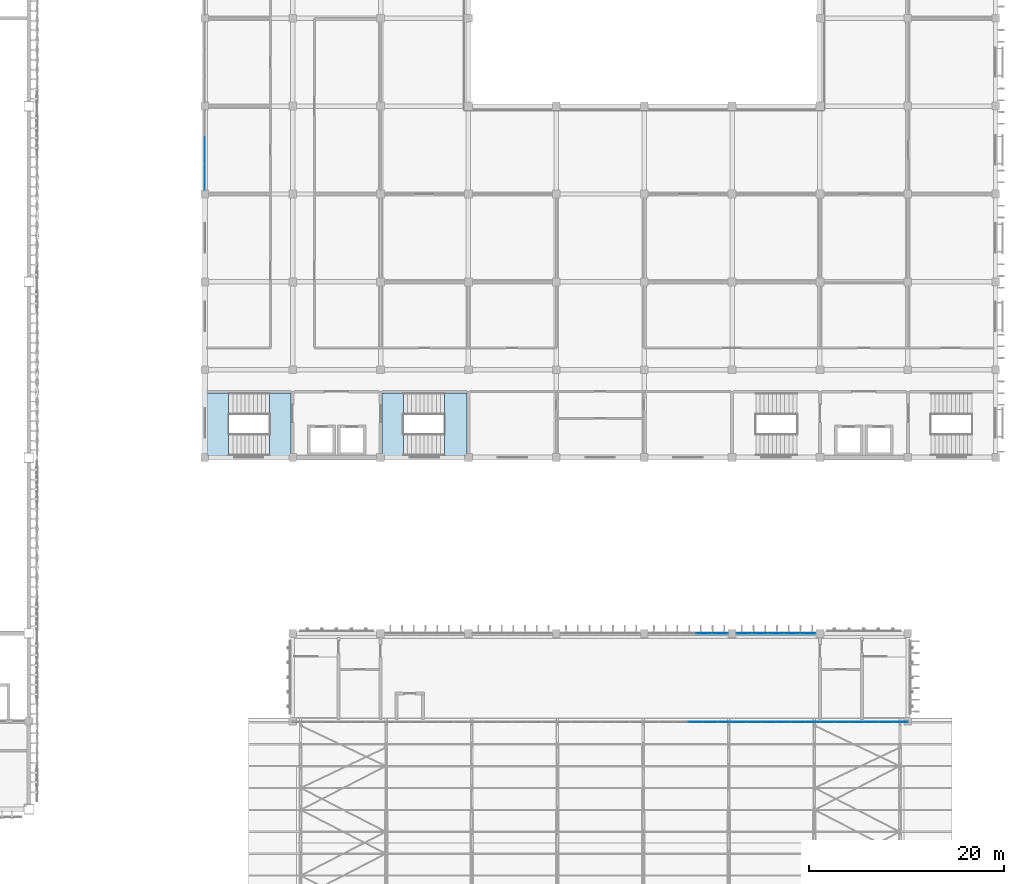
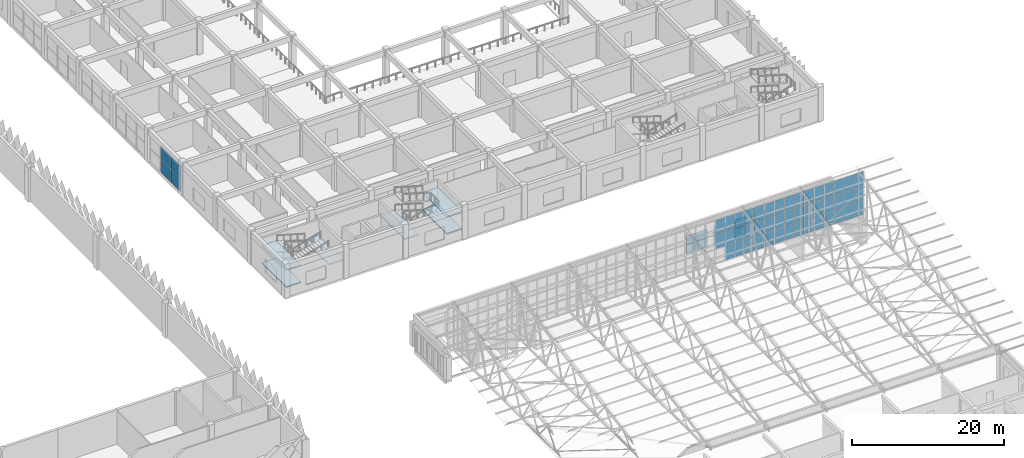
# One storey, part 96 of 185: 62 plates, 6 slabs, 6 elements without a shape of their own.
"""IFC4 building model written with IfcOpenShell, lengths in metres."""

import ifcopenshell
import ifcopenshell.guid

model = None  # the IFC model being written
_history = None  # IfcOwnerHistory: only IFC2X3 demands one
_inside = {}  # id of a spatial element -> (the spatial element, [elements in it])
_under = {}  # id of a project, library or spatial element -> (it, [spatial elements below it])
_declared = {}  # id of a project -> (the project, [libraries it declares])
_typed = {}  # id of a type object -> (the type object, [elements of that type])
_made_of = {}  # id of a material, layer set ... -> (it, [elements and type objects made of it])


def new_model(schema):
    """Start an empty IFC model of exactly this schema.

    Asked for "IFC4X3", IfcOpenShell would pick the latest addendum, in which some entities
    have other attributes; the version numbers below select the first issue.
    IFC2X3 requires an IfcOwnerHistory on every rooted entity: one is made here for all.
    """
    global model, _history
    if schema == "IFC4X3":
        model = ifcopenshell.file(schema_version=(4, 3, 0, 0))
    else:
        model = ifcopenshell.file(schema=schema)
    _inside.clear()
    _under.clear()
    _declared.clear()
    _typed.clear()
    _made_of.clear()
    _history = None
    if model.schema == "IFC2X3":
        org = make("IfcOrganization", Name="unknown")
        user = make(
            "IfcPersonAndOrganization",
            ThePerson=make("IfcPerson", FamilyName="unknown"),
            TheOrganization=org,
        )
        app = make(
            "IfcApplication",
            ApplicationDeveloper=org,
            Version="unknown",
            ApplicationFullName="unknown",
            ApplicationIdentifier="unknown",
        )
        _history = make(
            "IfcOwnerHistory",
            OwningUser=user,
            OwningApplication=app,
            ChangeAction="ADDED",
            CreationDate=0,
        )
    return model


def make(cls, **values):
    """One entity of the class cls with the attributes given. An attribute that is None is left unset."""
    return model.create_entity(
        cls, **{name: value for name, value in values.items() if value is not None}
    )


def rooted(cls, **values):
    """An entity with a GlobalId (a new one), such as an element, a storey or a relation."""
    return make(cls, GlobalId=ifcopenshell.guid.new(), OwnerHistory=_history, **values)


def si_unit(unit_type, name, prefix=None):
    """IfcSIUnit, for example si_unit("LENGTHUNIT", "METRE", prefix="MILLI")."""
    return make("IfcSIUnit", UnitType=unit_type, Prefix=prefix, Name=name)


def assignment(units):
    """IfcUnitAssignment: the units of a project."""
    return None if units is None else make("IfcUnitAssignment", Units=units)


def point(xyz):
    """IfcCartesianPoint."""
    return None if xyz is None else make("IfcCartesianPoint", Coordinates=xyz)


def direction(xyz):
    """IfcDirection."""
    return None if xyz is None else make("IfcDirection", DirectionRatios=xyz)


def frame(location, z_axis=None, x_axis=None):
    """IfcAxis2Placement3D, a coordinate frame: its origin and axes. An axis left out is left unset."""
    return make(
        "IfcAxis2Placement3D",
        Location=point(location),
        Axis=direction(z_axis),
        RefDirection=direction(x_axis),
    )


def frame_2d(location, x_axis=None):
    """IfcAxis2Placement2D, a coordinate frame in the plane: its origin and x axis."""
    return make(
        "IfcAxis2Placement2D", Location=point(location), RefDirection=direction(x_axis)
    )


def origin():
    """The frame at (0, 0, 0) with its axes left unset."""
    return frame((0.0, 0.0, 0.0))


def origin_2d():
    """The frame at (0, 0) in the plane with its x axis left unset."""
    return frame_2d((0.0, 0.0))


def place(relative_to, where):
    """IfcLocalPlacement: puts the frame where relative to a parent placement (None: the world)."""
    return make(
        "IfcLocalPlacement", PlacementRelTo=relative_to, RelativePlacement=where
    )


def context(
    kind, dimensions, precision=None, world=None, true_north=None, identifier=None
):
    """IfcGeometricRepresentationContext, for example the 3D "Model" context."""
    return make(
        "IfcGeometricRepresentationContext",
        ContextIdentifier=identifier,
        ContextType=kind,
        CoordinateSpaceDimension=dimensions,
        Precision=precision,
        WorldCoordinateSystem=world,
        TrueNorth=true_north,
    )


def subcontext(parent, identifier, kind, view, scale=None):
    """IfcGeometricRepresentationSubContext, for example "Body" below "Model"."""
    return make(
        "IfcGeometricRepresentationSubContext",
        ContextIdentifier=identifier,
        ContextType=kind,
        ParentContext=parent,
        TargetScale=scale,
        TargetView=view,
    )


def project(units=None, contexts=None):
    """IfcProject with its units and contexts."""
    return rooted(
        "IfcProject",
        Name="project",
        RepresentationContexts=contexts,
        UnitsInContext=assignment(units),
    )


def spatial(cls, under=None, at=None, **own):
    """A site, building, storey or space (cls), placed at a placement, below another one or the project."""
    s = rooted(cls, ObjectPlacement=at, **own)
    if under is not None:
        _under.setdefault(under.id(), (under, []))[1].append(s)
    return s


def polyline(points):
    """IfcPolyline through the points."""
    return make("IfcPolyline", Points=[point(p) for p in points])


def profile(cls, at=None, kind="AREA", **sizes):
    """A parametric profile (cls). Its sizes go by their IFC names, for example OverallWidth=200.0."""
    return make(cls, ProfileType=kind, Position=at, **sizes)


def rectangle(**sizes):
    """IfcRectangleProfileDef."""
    return profile("IfcRectangleProfileDef", **sizes)


def outline(outer, holes=None, kind="AREA"):
    """IfcArbitraryClosedProfileDef: a profile drawn as a closed curve; with holes, ...WithVoids."""
    if holes is None:
        return make("IfcArbitraryClosedProfileDef", ProfileType=kind, OuterCurve=outer)
    return make(
        "IfcArbitraryProfileDefWithVoids",
        ProfileType=kind,
        OuterCurve=outer,
        InnerCurves=holes,
    )


def extrude(swept, where, along, depth):
    """IfcExtrudedAreaSolid: the profile swept, set in the frame where, extruded along a direction by depth."""
    return make(
        "IfcExtrudedAreaSolid",
        SweptArea=swept,
        Position=where,
        ExtrudedDirection=direction(along),
        Depth=depth,
    )


def shape(context_of_items, identifier, shape_type, items):
    """IfcShapeRepresentation: the items that make up one representation, for example the "Body"."""
    return make(
        "IfcShapeRepresentation",
        ContextOfItems=context_of_items,
        RepresentationIdentifier=identifier,
        RepresentationType=shape_type,
        Items=items,
    )


def material(Name=None, Category=None):
    """IfcMaterial."""
    return make("IfcMaterial", Name=Name, Category=Category)


def layer(
    of_material, thickness, ventilated=None, Name=None, Category=None, Priority=None
):
    """IfcMaterialLayer: one layer of a wall or slab, of a material (None: an air gap)."""
    return make(
        "IfcMaterialLayer",
        Material=of_material,
        LayerThickness=thickness,
        IsVentilated=ventilated,
        Name=Name,
        Category=Category,
        Priority=Priority,
    )


def layer_set(layers, Name=None):
    """IfcMaterialLayerSet."""
    return make("IfcMaterialLayerSet", MaterialLayers=layers, LayerSetName=Name)


def made_of(thing, what):
    """Note that an element or type object is made of a material, layer set ...; save() writes the relation."""
    if what is not None:
        _made_of.setdefault(what.id(), (what, []))[1].append(thing)
    return thing


def type_object(cls, material=None, **own):
    """A type object (cls), such as IfcWallType, which elements share."""
    return made_of(rooted(cls, **own), material)


def element(
    cls,
    number,
    at=None,
    inside=None,
    cuts=None,
    type_object=None,
    material=None,
    context=None,
    identifier="Body",
    shape_type=None,
    held_by="IfcProductDefinitionShape",
    body=None,
    shapes=None,
    **own,
):
    """One element of the class cls, such as IfcWall. Its Tag is "e" and its number.

    at: its placement. inside: the storey or other place that contains it. cuts: it is an
    opening in that element (IfcRelVoidsElement). A single representation is given by context,
    identifier, shape_type and body (its items); several are given by shapes. held_by: the class
    of the entity that holds the representations. save() writes the other relations.
    """
    e = rooted(cls, Tag="e%d" % number, ObjectPlacement=at, **own)
    if body is not None:
        shapes = [shape(context, identifier, shape_type, body)]
    if shapes is not None:
        e.Representation = make(held_by, Representations=shapes)
    if inside is not None:
        _inside.setdefault(inside.id(), (inside, []))[1].append(e)
    if cuts is not None:
        rooted(
            "IfcRelVoidsElement", RelatingBuildingElement=cuts, RelatedOpeningElement=e
        )
    if type_object is not None:
        _typed.setdefault(type_object.id(), (type_object, []))[1].append(e)
    return made_of(e, material)


def aggregate(whole, parts):
    """IfcRelAggregates: a whole, such as a stair, and the parts it consists of."""
    return rooted("IfcRelAggregates", RelatingObject=whole, RelatedObjects=parts)


def save(model, path):
    """Write the relations noted so far, then the file.

    IfcRelAggregates (storeys below a building ...), IfcRelContainedInSpatialStructure (elements
    in a storey), IfcRelDefinesByType, IfcRelAssociatesMaterial and IfcRelDeclares: one each for
    every whole, place, type object, material and project.
    """
    for whole, parts in _under.values():
        aggregate(whole, parts)
    for where, things in _inside.values():
        rooted(
            "IfcRelContainedInSpatialStructure",
            RelatedElements=things,
            RelatingStructure=where,
        )
    for kind, things in _typed.values():
        rooted("IfcRelDefinesByType", RelatedObjects=things, RelatingType=kind)
    for what, things in _made_of.values():
        rooted("IfcRelAssociatesMaterial", RelatedObjects=things, RelatingMaterial=what)
    for by, libraries in _declared.values():
        rooted("IfcRelDeclares", RelatingContext=by, RelatedDefinitions=libraries)
    model.write(path)


model = new_model("IFC4")

# Units and contexts
model_context = context("Model", 3, precision=1e-05, world=origin(), true_north=direction((0.0, 1.0)))
body_context = subcontext(model_context, "Body", "Model", "MODEL_VIEW")
ifc_project = project(units=[si_unit("LENGTHUNIT", "METRE"), si_unit("AREAUNIT", "SQUARE_METRE"), si_unit("VOLUMEUNIT", "CUBIC_METRE"), si_unit("PLANEANGLEUNIT", "RADIAN"), si_unit("MASSUNIT", "GRAM", prefix="KILO")], contexts=[model_context])

# Site, building, storey
site_placement = place(None, origin())
site = spatial("IfcSite", under=ifc_project, at=site_placement, CompositionType="ELEMENT")
building_placement = place(site_placement, origin())
building = spatial("IfcBuilding", under=site, at=building_placement, Name="Opaline Strait Convention Centre", CompositionType="ELEMENT")
storey_placement = place(building_placement, frame((0.0, 0.0, 6.0)))
storey = spatial("IfcBuildingStorey", under=building, at=storey_placement, Name="L01", CompositionType="ELEMENT", Elevation=6.0)

# Curtain wall, plates
ifc_material_1 = material(Name="Aluminium 6063-T5", Category="aluminium")
ifc_layer_1 = layer(ifc_material_1, 0.199951171875)
ifc_layer_set_1 = layer_set([ifc_layer_1], Name="Aluminium 6063-T5")
curtain_wall_type_1 = type_object("IfcCurtainWallType", Name="Unitised curtain wall 1640 module", PredefinedType="NOTDEFINED", material=ifc_layer_set_1)
curtain_wall_1_placement = place(storey_placement, origin())
curtain_wall_1 = element("IfcCurtainWall", 1, at=curtain_wall_1_placement, inside=storey, type_object=curtain_wall_type_1, Name="Ballroom north curtain wall L01 bay 5", PredefinedType="NOTDEFINED")
ifc_material_2 = material(Name="Double glazed unit low emissivity", Category="glass")
ifc_layer_2 = layer(ifc_material_2, 0.028076171875)
ifc_layer_set_2 = layer_set([ifc_layer_2], Name="Double glazed unit low emissivity")
plate_type = type_object("IfcPlateType", Name="Curtain wall glass panel 28", PredefinedType="CURTAIN_PANEL", material=ifc_layer_set_2)
plate_1_placement = place(storey_placement, frame((330.14013671875, 72.0, 0.06005859375), z_axis=(0.0, 0.0, 1.0), x_axis=(1.0, 0.0, 0.0)))
plate_1 = element("IfcPlate", 2, at=plate_1_placement, type_object=plate_type, Name="BG2 panel 4.1", PredefinedType="CURTAIN_PANEL", context=body_context, shape_type="SweptSolid", body=[
    extrude(rectangle(XDim=1.580078125, YDim=0.028076171875, at=origin_2d()), origin(), (0.0, 0.0, 1.0), 1.43505859375),
])
plate_2_placement = place(storey_placement, frame((330.14013671875, 72.0, 1.554931640625), z_axis=(0.0, 0.0, 1.0), x_axis=(1.0, 0.0, 0.0)))
plate_2 = element("IfcPlate", 3, at=plate_2_placement, type_object=plate_type, Name="BG2 panel 4.2", PredefinedType="CURTAIN_PANEL", context=body_context, shape_type="SweptSolid", body=[
    extrude(rectangle(XDim=1.580078125, YDim=0.028076171875, at=origin_2d()), origin(), (0.0, 0.0, 1.0), 1.43505859375),
])
plate_3_placement = place(storey_placement, frame((331.76513671875, 72.0, 0.06005859375), z_axis=(0.0, 0.0, 1.0), x_axis=(1.0, 0.0, 0.0)))
plate_3 = element("IfcPlate", 4, at=plate_3_placement, type_object=plate_type, Name="BG2 panel 5.1", PredefinedType="CURTAIN_PANEL", context=body_context, shape_type="SweptSolid", body=[
    extrude(rectangle(XDim=1.550048828125, YDim=0.028076171875, at=origin_2d()), origin(), (0.0, 0.0, 1.0), 1.43505859375),
])
plate_4_placement = place(storey_placement, frame((331.76513671875, 72.0, 1.554931640625), z_axis=(0.0, 0.0, 1.0), x_axis=(1.0, 0.0, 0.0)))
plate_4 = element("IfcPlate", 5, at=plate_4_placement, type_object=plate_type, Name="BG2 panel 5.2", PredefinedType="CURTAIN_PANEL", context=body_context, shape_type="SweptSolid", body=[
    extrude(rectangle(XDim=1.550048828125, YDim=0.028076171875, at=origin_2d()), origin(), (0.0, 0.0, 1.0), 1.43505859375),
])
aggregate(curtain_wall_1, [plate_1, plate_2, plate_3, plate_4])

curtain_wall_2_placement = place(storey_placement, origin())
curtain_wall_2 = element("IfcCurtainWall", 6, at=curtain_wall_2_placement, inside=storey, type_object=curtain_wall_type_1, Name="Ballroom north curtain wall L01 bay 6", PredefinedType="NOTDEFINED")
plate_5_placement = place(storey_placement, frame((334.23486328125, 72.0, 0.06005859375), z_axis=(0.0, 0.0, 1.0), x_axis=(1.0, 0.0, 0.0)))
plate_5 = element("IfcPlate", 7, at=plate_5_placement, type_object=plate_type, Name="BG2 panel 1.1", PredefinedType="CURTAIN_PANEL", context=body_context, shape_type="SweptSolid", body=[
    extrude(rectangle(XDim=1.550048828125, YDim=0.028076171875, at=origin_2d()), origin(), (0.0, 0.0, 1.0), 1.43505859375),
])
plate_6_placement = place(storey_placement, frame((334.23486328125, 72.0, 1.554931640625), z_axis=(0.0, 0.0, 1.0), x_axis=(1.0, 0.0, 0.0)))
plate_6 = element("IfcPlate", 8, at=plate_6_placement, type_object=plate_type, Name="BG2 panel 1.2", PredefinedType="CURTAIN_PANEL", context=body_context, shape_type="SweptSolid", body=[
    extrude(rectangle(XDim=1.550048828125, YDim=0.028076171875, at=origin_2d()), origin(), (0.0, 0.0, 1.0), 1.43505859375),
])
plate_7_placement = place(storey_placement, frame((335.85986328125, 72.0, 0.06005859375), z_axis=(0.0, 0.0, 1.0), x_axis=(1.0, 0.0, 0.0)))
plate_7 = element("IfcPlate", 9, at=plate_7_placement, type_object=plate_type, Name="BG2 panel 2.1", PredefinedType="CURTAIN_PANEL", context=body_context, shape_type="SweptSolid", body=[
    extrude(rectangle(XDim=1.580078125, YDim=0.028076171875, at=origin_2d()), origin(), (0.0, 0.0, 1.0), 1.43505859375),
])
plate_8_placement = place(storey_placement, frame((335.85986328125, 72.0, 1.554931640625), z_axis=(0.0, 0.0, 1.0), x_axis=(1.0, 0.0, 0.0)))
plate_8 = element("IfcPlate", 10, at=plate_8_placement, type_object=plate_type, Name="BG2 panel 2.2", PredefinedType="CURTAIN_PANEL", context=body_context, shape_type="SweptSolid", body=[
    extrude(rectangle(XDim=1.580078125, YDim=0.028076171875, at=origin_2d()), origin(), (0.0, 0.0, 1.0), 1.43505859375),
])
plate_9_placement = place(storey_placement, frame((337.5, 72.0, 0.06005859375), z_axis=(0.0, 0.0, 1.0), x_axis=(1.0, 0.0, 0.0)))
plate_9 = element("IfcPlate", 11, at=plate_9_placement, type_object=plate_type, Name="BG2 panel 3.1", PredefinedType="CURTAIN_PANEL", context=body_context, shape_type="SweptSolid", body=[
    extrude(rectangle(XDim=1.580078125, YDim=0.028076171875, at=origin_2d()), origin(), (0.0, 0.0, 1.0), 1.43505859375),
])
plate_10_placement = place(storey_placement, frame((337.5, 72.0, 1.554931640625), z_axis=(0.0, 0.0, 1.0), x_axis=(1.0, 0.0, 0.0)))
plate_10 = element("IfcPlate", 12, at=plate_10_placement, type_object=plate_type, Name="BG2 panel 3.2", PredefinedType="CURTAIN_PANEL", context=body_context, shape_type="SweptSolid", body=[
    extrude(rectangle(XDim=1.580078125, YDim=0.028076171875, at=origin_2d()), origin(), (0.0, 0.0, 1.0), 1.43505859375),
])
plate_11_placement = place(storey_placement, frame((339.14013671875, 72.0, 0.06005859375), z_axis=(0.0, 0.0, 1.0), x_axis=(1.0, 0.0, 0.0)))
plate_11 = element("IfcPlate", 13, at=plate_11_placement, type_object=plate_type, Name="BG2 panel 4.1", PredefinedType="CURTAIN_PANEL", context=body_context, shape_type="SweptSolid", body=[
    extrude(rectangle(XDim=1.580078125, YDim=0.028076171875, at=origin_2d()), origin(), (0.0, 0.0, 1.0), 1.43505859375),
])
plate_12_placement = place(storey_placement, frame((339.14013671875, 72.0, 1.554931640625), z_axis=(0.0, 0.0, 1.0), x_axis=(1.0, 0.0, 0.0)))
plate_12 = element("IfcPlate", 14, at=plate_12_placement, type_object=plate_type, Name="BG2 panel 4.2", PredefinedType="CURTAIN_PANEL", context=body_context, shape_type="SweptSolid", body=[
    extrude(rectangle(XDim=1.580078125, YDim=0.028076171875, at=origin_2d()), origin(), (0.0, 0.0, 1.0), 1.43505859375),
])
plate_13_placement = place(storey_placement, frame((340.76513671875, 72.0, 0.06005859375), z_axis=(0.0, 0.0, 1.0), x_axis=(1.0, 0.0, 0.0)))
plate_13 = element("IfcPlate", 15, at=plate_13_placement, type_object=plate_type, Name="BG2 panel 5.1", PredefinedType="CURTAIN_PANEL", context=body_context, shape_type="SweptSolid", body=[
    extrude(rectangle(XDim=1.550048828125, YDim=0.028076171875, at=origin_2d()), origin(), (0.0, 0.0, 1.0), 1.43505859375),
])
plate_14_placement = place(storey_placement, frame((340.76513671875, 72.0, 1.554931640625), z_axis=(0.0, 0.0, 1.0), x_axis=(1.0, 0.0, 0.0)))
plate_14 = element("IfcPlate", 16, at=plate_14_placement, type_object=plate_type, Name="BG2 panel 5.2", PredefinedType="CURTAIN_PANEL", context=body_context, shape_type="SweptSolid", body=[
    extrude(rectangle(XDim=1.550048828125, YDim=0.028076171875, at=origin_2d()), origin(), (0.0, 0.0, 1.0), 1.43505859375),
])
aggregate(curtain_wall_2, [plate_5, plate_6, plate_7, plate_8, plate_9, plate_10, plate_11, plate_12, plate_13, plate_14])

curtain_wall_3_placement = place(storey_placement, origin())
curtain_wall_3 = element("IfcCurtainWall", 17, at=curtain_wall_3_placement, inside=storey, type_object=curtain_wall_type_1, Name="Ballroom north clerestory curtain wall", PredefinedType="NOTDEFINED")
plate_15_placement = place(storey_placement, frame((329.25927734375, 62.929931640625, 6.693359375), z_axis=(0.0, 0.0, 1.0), x_axis=(1.0, 0.0, 0.0)))
plate_15 = element("IfcPlate", 18, at=plate_15_placement, type_object=plate_type, Name="BG2 panel 28.2", PredefinedType="CURTAIN_PANEL", context=body_context, shape_type="SweptSolid", body=[
    extrude(rectangle(XDim=1.44140625, YDim=0.028076171875, at=origin_2d()), origin(), (0.0, 0.0, 1.0), 2.2783203125),
])
plate_16_placement = place(storey_placement, frame((329.25927734375, 62.929931640625, 9.03173828125), z_axis=(0.0, 0.0, 1.0), x_axis=(1.0, 0.0, 0.0)))
plate_16 = element("IfcPlate", 19, at=plate_16_placement, type_object=plate_type, Name="BG2 panel 28.3", PredefinedType="CURTAIN_PANEL", context=body_context, shape_type="SweptSolid", body=[
    extrude(rectangle(XDim=1.44140625, YDim=0.028076171875, at=origin_2d()), origin(), (0.0, 0.0, 1.0), 2.248291015625),
])
plate_17_placement = place(storey_placement, frame((330.7607421875, 62.929931640625, 4.384765625), z_axis=(0.0, 0.0, 1.0), x_axis=(1.0, 0.0, 0.0)))
plate_17 = element("IfcPlate", 20, at=plate_17_placement, type_object=plate_type, Name="BG2 panel 29.1", PredefinedType="CURTAIN_PANEL", context=body_context, shape_type="SweptSolid", body=[
    extrude(rectangle(XDim=1.44140625, YDim=0.028076171875, at=origin_2d()), origin(), (0.0, 0.0, 1.0), 2.248291015625),
])
plate_18_placement = place(storey_placement, frame((330.7607421875, 62.929931640625, 6.693359375), z_axis=(0.0, 0.0, 1.0), x_axis=(1.0, 0.0, 0.0)))
plate_18 = element("IfcPlate", 21, at=plate_18_placement, type_object=plate_type, Name="BG2 panel 29.2", PredefinedType="CURTAIN_PANEL", context=body_context, shape_type="SweptSolid", body=[
    extrude(rectangle(XDim=1.44140625, YDim=0.028076171875, at=origin_2d()), origin(), (0.0, 0.0, 1.0), 2.2783203125),
])
plate_19_placement = place(storey_placement, frame((330.7607421875, 62.929931640625, 9.03173828125), z_axis=(0.0, 0.0, 1.0), x_axis=(1.0, 0.0, 0.0)))
plate_19 = element("IfcPlate", 22, at=plate_19_placement, type_object=plate_type, Name="BG2 panel 29.3", PredefinedType="CURTAIN_PANEL", context=body_context, shape_type="SweptSolid", body=[
    extrude(rectangle(XDim=1.44140625, YDim=0.028076171875, at=origin_2d()), origin(), (0.0, 0.0, 1.0), 2.248291015625),
])
plate_20_placement = place(storey_placement, frame((332.26220703125, 62.929931640625, 4.384765625), z_axis=(0.0, 0.0, 1.0), x_axis=(1.0, 0.0, 0.0)))
plate_20 = element("IfcPlate", 23, at=plate_20_placement, type_object=plate_type, Name="BG2 panel 30.1", PredefinedType="CURTAIN_PANEL", context=body_context, shape_type="SweptSolid", body=[
    extrude(rectangle(XDim=1.44140625, YDim=0.028076171875, at=origin_2d()), origin(), (0.0, 0.0, 1.0), 2.248291015625),
])
plate_21_placement = place(storey_placement, frame((332.26220703125, 62.929931640625, 6.693359375), z_axis=(0.0, 0.0, 1.0), x_axis=(1.0, 0.0, 0.0)))
plate_21 = element("IfcPlate", 24, at=plate_21_placement, type_object=plate_type, Name="BG2 panel 30.2", PredefinedType="CURTAIN_PANEL", context=body_context, shape_type="SweptSolid", body=[
    extrude(rectangle(XDim=1.44140625, YDim=0.028076171875, at=origin_2d()), origin(), (0.0, 0.0, 1.0), 2.2783203125),
])
plate_22_placement = place(storey_placement, frame((332.26220703125, 62.929931640625, 9.03173828125), z_axis=(0.0, 0.0, 1.0), x_axis=(1.0, 0.0, 0.0)))
plate_22 = element("IfcPlate", 25, at=plate_22_placement, type_object=plate_type, Name="BG2 panel 30.3", PredefinedType="CURTAIN_PANEL", context=body_context, shape_type="SweptSolid", body=[
    extrude(rectangle(XDim=1.44140625, YDim=0.028076171875, at=origin_2d()), origin(), (0.0, 0.0, 1.0), 2.248291015625),
])
plate_23_placement = place(storey_placement, frame((333.763671875, 62.929931640625, 4.384765625), z_axis=(0.0, 0.0, 1.0), x_axis=(1.0, 0.0, 0.0)))
plate_23 = element("IfcPlate", 26, at=plate_23_placement, type_object=plate_type, Name="BG2 panel 31.1", PredefinedType="CURTAIN_PANEL", context=body_context, shape_type="SweptSolid", body=[
    extrude(rectangle(XDim=1.44140625, YDim=0.028076171875, at=origin_2d()), origin(), (0.0, 0.0, 1.0), 2.248291015625),
])
plate_24_placement = place(storey_placement, frame((333.763671875, 62.929931640625, 6.693359375), z_axis=(0.0, 0.0, 1.0), x_axis=(1.0, 0.0, 0.0)))
plate_24 = element("IfcPlate", 27, at=plate_24_placement, type_object=plate_type, Name="BG2 panel 31.2", PredefinedType="CURTAIN_PANEL", context=body_context, shape_type="SweptSolid", body=[
    extrude(rectangle(XDim=1.44140625, YDim=0.028076171875, at=origin_2d()), origin(), (0.0, 0.0, 1.0), 2.2783203125),
])
plate_25_placement = place(storey_placement, frame((333.763671875, 62.929931640625, 9.03173828125), z_axis=(0.0, 0.0, 1.0), x_axis=(1.0, 0.0, 0.0)))
plate_25 = element("IfcPlate", 28, at=plate_25_placement, type_object=plate_type, Name="BG2 panel 31.3", PredefinedType="CURTAIN_PANEL", context=body_context, shape_type="SweptSolid", body=[
    extrude(rectangle(XDim=1.44140625, YDim=0.028076171875, at=origin_2d()), origin(), (0.0, 0.0, 1.0), 2.248291015625),
])
plate_26_placement = place(storey_placement, frame((335.26513671875, 62.929931640625, 4.384765625), z_axis=(0.0, 0.0, 1.0), x_axis=(1.0, 0.0, 0.0)))
plate_26 = element("IfcPlate", 29, at=plate_26_placement, type_object=plate_type, Name="BG2 panel 32.1", PredefinedType="CURTAIN_PANEL", context=body_context, shape_type="SweptSolid", body=[
    extrude(rectangle(XDim=1.44140625, YDim=0.028076171875, at=origin_2d()), origin(), (0.0, 0.0, 1.0), 2.248291015625),
])
plate_27_placement = place(storey_placement, frame((335.26513671875, 62.929931640625, 6.693359375), z_axis=(0.0, 0.0, 1.0), x_axis=(1.0, 0.0, 0.0)))
plate_27 = element("IfcPlate", 30, at=plate_27_placement, type_object=plate_type, Name="BG2 panel 32.2", PredefinedType="CURTAIN_PANEL", context=body_context, shape_type="SweptSolid", body=[
    extrude(rectangle(XDim=1.44140625, YDim=0.028076171875, at=origin_2d()), origin(), (0.0, 0.0, 1.0), 2.2783203125),
])
plate_28_placement = place(storey_placement, frame((335.26513671875, 62.929931640625, 9.03173828125), z_axis=(0.0, 0.0, 1.0), x_axis=(1.0, 0.0, 0.0)))
plate_28 = element("IfcPlate", 31, at=plate_28_placement, type_object=plate_type, Name="BG2 panel 32.3", PredefinedType="CURTAIN_PANEL", context=body_context, shape_type="SweptSolid", body=[
    extrude(rectangle(XDim=1.44140625, YDim=0.028076171875, at=origin_2d()), origin(), (0.0, 0.0, 1.0), 2.248291015625),
])
plate_29_placement = place(storey_placement, frame((336.766357421875, 62.929931640625, 4.384765625), z_axis=(0.0, 0.0, 1.0), x_axis=(1.0, 0.0, 0.0)))
plate_29 = element("IfcPlate", 32, at=plate_29_placement, type_object=plate_type, Name="BG2 panel 33.1", PredefinedType="CURTAIN_PANEL", context=body_context, shape_type="SweptSolid", body=[
    extrude(rectangle(XDim=1.44140625, YDim=0.028076171875, at=origin_2d()), origin(), (0.0, 0.0, 1.0), 2.248291015625),
])
plate_30_placement = place(storey_placement, frame((336.766357421875, 62.929931640625, 6.693359375), z_axis=(0.0, 0.0, 1.0), x_axis=(1.0, 0.0, 0.0)))
plate_30 = element("IfcPlate", 33, at=plate_30_placement, type_object=plate_type, Name="BG2 panel 33.2", PredefinedType="CURTAIN_PANEL", context=body_context, shape_type="SweptSolid", body=[
    extrude(rectangle(XDim=1.44140625, YDim=0.028076171875, at=origin_2d()), origin(), (0.0, 0.0, 1.0), 2.2783203125),
])
plate_31_placement = place(storey_placement, frame((336.766357421875, 62.929931640625, 9.03173828125), z_axis=(0.0, 0.0, 1.0), x_axis=(1.0, 0.0, 0.0)))
plate_31 = element("IfcPlate", 34, at=plate_31_placement, type_object=plate_type, Name="BG2 panel 33.3", PredefinedType="CURTAIN_PANEL", context=body_context, shape_type="SweptSolid", body=[
    extrude(rectangle(XDim=1.44140625, YDim=0.028076171875, at=origin_2d()), origin(), (0.0, 0.0, 1.0), 2.248291015625),
])
plate_32_placement = place(storey_placement, frame((338.267822265625, 62.929931640625, 4.384765625), z_axis=(0.0, 0.0, 1.0), x_axis=(1.0, 0.0, 0.0)))
plate_32 = element("IfcPlate", 35, at=plate_32_placement, type_object=plate_type, Name="BG2 panel 34.1", PredefinedType="CURTAIN_PANEL", context=body_context, shape_type="SweptSolid", body=[
    extrude(rectangle(XDim=1.44140625, YDim=0.028076171875, at=origin_2d()), origin(), (0.0, 0.0, 1.0), 2.248291015625),
])
plate_33_placement = place(storey_placement, frame((338.267822265625, 62.929931640625, 6.693359375), z_axis=(0.0, 0.0, 1.0), x_axis=(1.0, 0.0, 0.0)))
plate_33 = element("IfcPlate", 36, at=plate_33_placement, type_object=plate_type, Name="BG2 panel 34.2", PredefinedType="CURTAIN_PANEL", context=body_context, shape_type="SweptSolid", body=[
    extrude(rectangle(XDim=1.44140625, YDim=0.028076171875, at=origin_2d()), origin(), (0.0, 0.0, 1.0), 2.2783203125),
])
plate_34_placement = place(storey_placement, frame((338.267822265625, 62.929931640625, 9.03173828125), z_axis=(0.0, 0.0, 1.0), x_axis=(1.0, 0.0, 0.0)))
plate_34 = element("IfcPlate", 37, at=plate_34_placement, type_object=plate_type, Name="BG2 panel 34.3", PredefinedType="CURTAIN_PANEL", context=body_context, shape_type="SweptSolid", body=[
    extrude(rectangle(XDim=1.44140625, YDim=0.028076171875, at=origin_2d()), origin(), (0.0, 0.0, 1.0), 2.248291015625),
])
plate_35_placement = place(storey_placement, frame((339.769287109375, 62.929931640625, 4.384765625), z_axis=(0.0, 0.0, 1.0), x_axis=(1.0, 0.0, 0.0)))
plate_35 = element("IfcPlate", 38, at=plate_35_placement, type_object=plate_type, Name="BG2 panel 35.1", PredefinedType="CURTAIN_PANEL", context=body_context, shape_type="SweptSolid", body=[
    extrude(rectangle(XDim=1.44140625, YDim=0.028076171875, at=origin_2d()), origin(), (0.0, 0.0, 1.0), 2.248291015625),
])
plate_36_placement = place(storey_placement, frame((339.769287109375, 62.929931640625, 6.693359375), z_axis=(0.0, 0.0, 1.0), x_axis=(1.0, 0.0, 0.0)))
plate_36 = element("IfcPlate", 39, at=plate_36_placement, type_object=plate_type, Name="BG2 panel 35.2", PredefinedType="CURTAIN_PANEL", context=body_context, shape_type="SweptSolid", body=[
    extrude(rectangle(XDim=1.44140625, YDim=0.028076171875, at=origin_2d()), origin(), (0.0, 0.0, 1.0), 2.2783203125),
])
plate_37_placement = place(storey_placement, frame((339.769287109375, 62.929931640625, 9.03173828125), z_axis=(0.0, 0.0, 1.0), x_axis=(1.0, 0.0, 0.0)))
plate_37 = element("IfcPlate", 40, at=plate_37_placement, type_object=plate_type, Name="BG2 panel 35.3", PredefinedType="CURTAIN_PANEL", context=body_context, shape_type="SweptSolid", body=[
    extrude(rectangle(XDim=1.44140625, YDim=0.028076171875, at=origin_2d()), origin(), (0.0, 0.0, 1.0), 2.248291015625),
])
plate_38_placement = place(storey_placement, frame((341.270751953125, 62.929931640625, 4.384765625), z_axis=(0.0, 0.0, 1.0), x_axis=(1.0, 0.0, 0.0)))
plate_38 = element("IfcPlate", 41, at=plate_38_placement, type_object=plate_type, Name="BG2 panel 36.1", PredefinedType="CURTAIN_PANEL", context=body_context, shape_type="SweptSolid", body=[
    extrude(rectangle(XDim=1.44140625, YDim=0.028076171875, at=origin_2d()), origin(), (0.0, 0.0, 1.0), 2.248291015625),
])
plate_39_placement = place(storey_placement, frame((341.270751953125, 62.929931640625, 6.693359375), z_axis=(0.0, 0.0, 1.0), x_axis=(1.0, 0.0, 0.0)))
plate_39 = element("IfcPlate", 42, at=plate_39_placement, type_object=plate_type, Name="BG2 panel 36.2", PredefinedType="CURTAIN_PANEL", context=body_context, shape_type="SweptSolid", body=[
    extrude(rectangle(XDim=1.44140625, YDim=0.028076171875, at=origin_2d()), origin(), (0.0, 0.0, 1.0), 2.2783203125),
])
plate_40_placement = place(storey_placement, frame((341.270751953125, 62.929931640625, 9.03173828125), z_axis=(0.0, 0.0, 1.0), x_axis=(1.0, 0.0, 0.0)))
plate_40 = element("IfcPlate", 43, at=plate_40_placement, type_object=plate_type, Name="BG2 panel 36.3", PredefinedType="CURTAIN_PANEL", context=body_context, shape_type="SweptSolid", body=[
    extrude(rectangle(XDim=1.44140625, YDim=0.028076171875, at=origin_2d()), origin(), (0.0, 0.0, 1.0), 2.248291015625),
])
plate_41_placement = place(storey_placement, frame((342.772216796875, 62.929931640625, 4.384765625), z_axis=(0.0, 0.0, 1.0), x_axis=(1.0, 0.0, 0.0)))
plate_41 = element("IfcPlate", 44, at=plate_41_placement, type_object=plate_type, Name="BG2 panel 37.1", PredefinedType="CURTAIN_PANEL", context=body_context, shape_type="SweptSolid", body=[
    extrude(rectangle(XDim=1.44140625, YDim=0.028076171875, at=origin_2d()), origin(), (0.0, 0.0, 1.0), 2.248291015625),
])
plate_42_placement = place(storey_placement, frame((342.772216796875, 62.929931640625, 6.693359375), z_axis=(0.0, 0.0, 1.0), x_axis=(1.0, 0.0, 0.0)))
plate_42 = element("IfcPlate", 45, at=plate_42_placement, type_object=plate_type, Name="BG2 panel 37.2", PredefinedType="CURTAIN_PANEL", context=body_context, shape_type="SweptSolid", body=[
    extrude(rectangle(XDim=1.44140625, YDim=0.028076171875, at=origin_2d()), origin(), (0.0, 0.0, 1.0), 2.2783203125),
])
plate_43_placement = place(storey_placement, frame((342.772216796875, 62.929931640625, 9.03173828125), z_axis=(0.0, 0.0, 1.0), x_axis=(1.0, 0.0, 0.0)))
plate_43 = element("IfcPlate", 46, at=plate_43_placement, type_object=plate_type, Name="BG2 panel 37.3", PredefinedType="CURTAIN_PANEL", context=body_context, shape_type="SweptSolid", body=[
    extrude(rectangle(XDim=1.44140625, YDim=0.028076171875, at=origin_2d()), origin(), (0.0, 0.0, 1.0), 2.248291015625),
])
plate_44_placement = place(storey_placement, frame((344.273681640625, 62.929931640625, 4.384765625), z_axis=(0.0, 0.0, 1.0), x_axis=(1.0, 0.0, 0.0)))
plate_44 = element("IfcPlate", 47, at=plate_44_placement, type_object=plate_type, Name="BG2 panel 38.1", PredefinedType="CURTAIN_PANEL", context=body_context, shape_type="SweptSolid", body=[
    extrude(rectangle(XDim=1.44140625, YDim=0.028076171875, at=origin_2d()), origin(), (0.0, 0.0, 1.0), 2.248291015625),
])
plate_45_placement = place(storey_placement, frame((344.273681640625, 62.929931640625, 6.693359375), z_axis=(0.0, 0.0, 1.0), x_axis=(1.0, 0.0, 0.0)))
plate_45 = element("IfcPlate", 48, at=plate_45_placement, type_object=plate_type, Name="BG2 panel 38.2", PredefinedType="CURTAIN_PANEL", context=body_context, shape_type="SweptSolid", body=[
    extrude(rectangle(XDim=1.44140625, YDim=0.028076171875, at=origin_2d()), origin(), (0.0, 0.0, 1.0), 2.2783203125),
])
plate_46_placement = place(storey_placement, frame((344.273681640625, 62.929931640625, 9.03173828125), z_axis=(0.0, 0.0, 1.0), x_axis=(1.0, 0.0, 0.0)))
plate_46 = element("IfcPlate", 49, at=plate_46_placement, type_object=plate_type, Name="BG2 panel 38.3", PredefinedType="CURTAIN_PANEL", context=body_context, shape_type="SweptSolid", body=[
    extrude(rectangle(XDim=1.44140625, YDim=0.028076171875, at=origin_2d()), origin(), (0.0, 0.0, 1.0), 2.248291015625),
])
plate_47_placement = place(storey_placement, frame((345.77490234375, 62.929931640625, 4.384765625), z_axis=(0.0, 0.0, 1.0), x_axis=(1.0, 0.0, 0.0)))
plate_47 = element("IfcPlate", 50, at=plate_47_placement, type_object=plate_type, Name="BG2 panel 39.1", PredefinedType="CURTAIN_PANEL", context=body_context, shape_type="SweptSolid", body=[
    extrude(rectangle(XDim=1.44140625, YDim=0.028076171875, at=origin_2d()), origin(), (0.0, 0.0, 1.0), 2.248291015625),
])
plate_48_placement = place(storey_placement, frame((345.77490234375, 62.929931640625, 6.693359375), z_axis=(0.0, 0.0, 1.0), x_axis=(1.0, 0.0, 0.0)))
plate_48 = element("IfcPlate", 51, at=plate_48_placement, type_object=plate_type, Name="BG2 panel 39.2", PredefinedType="CURTAIN_PANEL", context=body_context, shape_type="SweptSolid", body=[
    extrude(rectangle(XDim=1.44140625, YDim=0.028076171875, at=origin_2d()), origin(), (0.0, 0.0, 1.0), 2.2783203125),
])
plate_49_placement = place(storey_placement, frame((345.77490234375, 62.929931640625, 9.03173828125), z_axis=(0.0, 0.0, 1.0), x_axis=(1.0, 0.0, 0.0)))
plate_49 = element("IfcPlate", 52, at=plate_49_placement, type_object=plate_type, Name="BG2 panel 39.3", PredefinedType="CURTAIN_PANEL", context=body_context, shape_type="SweptSolid", body=[
    extrude(rectangle(XDim=1.44140625, YDim=0.028076171875, at=origin_2d()), origin(), (0.0, 0.0, 1.0), 2.248291015625),
])
plate_50_placement = place(storey_placement, frame((347.2763671875, 62.929931640625, 4.384765625), z_axis=(0.0, 0.0, 1.0), x_axis=(1.0, 0.0, 0.0)))
plate_50 = element("IfcPlate", 53, at=plate_50_placement, type_object=plate_type, Name="BG2 panel 40.1", PredefinedType="CURTAIN_PANEL", context=body_context, shape_type="SweptSolid", body=[
    extrude(rectangle(XDim=1.44140625, YDim=0.028076171875, at=origin_2d()), origin(), (0.0, 0.0, 1.0), 2.248291015625),
])
plate_51_placement = place(storey_placement, frame((347.2763671875, 62.929931640625, 6.693359375), z_axis=(0.0, 0.0, 1.0), x_axis=(1.0, 0.0, 0.0)))
plate_51 = element("IfcPlate", 54, at=plate_51_placement, type_object=plate_type, Name="BG2 panel 40.2", PredefinedType="CURTAIN_PANEL", context=body_context, shape_type="SweptSolid", body=[
    extrude(rectangle(XDim=1.44140625, YDim=0.028076171875, at=origin_2d()), origin(), (0.0, 0.0, 1.0), 2.2783203125),
])
plate_52_placement = place(storey_placement, frame((347.2763671875, 62.929931640625, 9.03173828125), z_axis=(0.0, 0.0, 1.0), x_axis=(1.0, 0.0, 0.0)))
plate_52 = element("IfcPlate", 55, at=plate_52_placement, type_object=plate_type, Name="BG2 panel 40.3", PredefinedType="CURTAIN_PANEL", context=body_context, shape_type="SweptSolid", body=[
    extrude(rectangle(XDim=1.44140625, YDim=0.028076171875, at=origin_2d()), origin(), (0.0, 0.0, 1.0), 2.248291015625),
])
plate_53_placement = place(storey_placement, frame((348.77783203125, 62.929931640625, 4.384765625), z_axis=(0.0, 0.0, 1.0), x_axis=(1.0, 0.0, 0.0)))
plate_53 = element("IfcPlate", 56, at=plate_53_placement, type_object=plate_type, Name="BG2 panel 41.1", PredefinedType="CURTAIN_PANEL", context=body_context, shape_type="SweptSolid", body=[
    extrude(rectangle(XDim=1.44140625, YDim=0.028076171875, at=origin_2d()), origin(), (0.0, 0.0, 1.0), 2.248291015625),
])
plate_54_placement = place(storey_placement, frame((348.77783203125, 62.929931640625, 6.693359375), z_axis=(0.0, 0.0, 1.0), x_axis=(1.0, 0.0, 0.0)))
plate_54 = element("IfcPlate", 57, at=plate_54_placement, type_object=plate_type, Name="BG2 panel 41.2", PredefinedType="CURTAIN_PANEL", context=body_context, shape_type="SweptSolid", body=[
    extrude(rectangle(XDim=1.44140625, YDim=0.028076171875, at=origin_2d()), origin(), (0.0, 0.0, 1.0), 2.2783203125),
])
plate_55_placement = place(storey_placement, frame((348.77783203125, 62.929931640625, 9.03173828125), z_axis=(0.0, 0.0, 1.0), x_axis=(1.0, 0.0, 0.0)))
plate_55 = element("IfcPlate", 58, at=plate_55_placement, type_object=plate_type, Name="BG2 panel 41.3", PredefinedType="CURTAIN_PANEL", context=body_context, shape_type="SweptSolid", body=[
    extrude(rectangle(XDim=1.44140625, YDim=0.028076171875, at=origin_2d()), origin(), (0.0, 0.0, 1.0), 2.248291015625),
])
plate_56_placement = place(storey_placement, frame((350.264404296875, 62.929931640625, 4.384765625), z_axis=(0.0, 0.0, 1.0), x_axis=(1.0, 0.0, 0.0)))
plate_56 = element("IfcPlate", 59, at=plate_56_placement, type_object=plate_type, Name="BG2 panel 42.1", PredefinedType="CURTAIN_PANEL", context=body_context, shape_type="SweptSolid", body=[
    extrude(rectangle(XDim=1.411376953125, YDim=0.028076171875, at=origin_2d()), origin(), (0.0, 0.0, 1.0), 2.248291015625),
])
plate_57_placement = place(storey_placement, frame((350.264404296875, 62.929931640625, 6.693359375), z_axis=(0.0, 0.0, 1.0), x_axis=(1.0, 0.0, 0.0)))
plate_57 = element("IfcPlate", 60, at=plate_57_placement, type_object=plate_type, Name="BG2 panel 42.2", PredefinedType="CURTAIN_PANEL", context=body_context, shape_type="SweptSolid", body=[
    extrude(rectangle(XDim=1.411376953125, YDim=0.028076171875, at=origin_2d()), origin(), (0.0, 0.0, 1.0), 2.2783203125),
])
plate_58_placement = place(storey_placement, frame((350.264404296875, 62.929931640625, 9.03173828125), z_axis=(0.0, 0.0, 1.0), x_axis=(1.0, 0.0, 0.0)))
plate_58 = element("IfcPlate", 61, at=plate_58_placement, type_object=plate_type, Name="BG2 panel 42.3", PredefinedType="CURTAIN_PANEL", context=body_context, shape_type="SweptSolid", body=[
    extrude(rectangle(XDim=1.411376953125, YDim=0.028076171875, at=origin_2d()), origin(), (0.0, 0.0, 1.0), 2.248291015625),
])
aggregate(curtain_wall_3, [plate_15, plate_16, plate_17, plate_18, plate_19, plate_20, plate_21, plate_22, plate_23, plate_24, plate_25, plate_26, plate_27, plate_28, plate_29, plate_30, plate_31, plate_32, plate_33, plate_34, plate_35, plate_36, plate_37, plate_38, plate_39, plate_40, plate_41, plate_42, plate_43, plate_44, plate_45, plate_46, plate_47, plate_48, plate_49, plate_50, plate_51, plate_52, plate_53, plate_54, plate_55, plate_56, plate_57, plate_58])

ifc_material_3 = material(Name="Aluminium framed double glazing", Category="aluminium")
ifc_layer_3 = layer(ifc_material_3, 0.199951171875)
ifc_layer_set_3 = layer_set([ifc_layer_3], Name="Aluminium framed double glazing")
curtain_wall_type_2 = type_object("IfcCurtainWallType", Name="Curtain wall 3000 module unitised", PredefinedType="NOTDEFINED", material=ifc_layer_set_3)
curtain_wall_4_placement = place(storey_placement, origin())
curtain_wall_4 = element("IfcCurtainWall", 62, at=curtain_wall_4_placement, inside=storey, type_object=curtain_wall_type_2, Name="Curtain wall W L01 32/P", PredefinedType="NOTDEFINED")
plate_59_placement = place(storey_placement, frame((279.0, 118.781494140625, 0.06005859375), z_axis=(0.0, 0.0, 1.0), x_axis=(0.0, 1.0, 0.0)))
plate_59 = element("IfcPlate", 63, at=plate_59_placement, type_object=plate_type, Name="MCWR1 panel 1.1", PredefinedType="CURTAIN_PANEL", context=body_context, shape_type="SweptSolid", body=[
    extrude(rectangle(XDim=2.643310546875, YDim=0.028076171875, at=origin_2d()), origin(), (0.0, 0.0, 1.0), 2.070068359375),
])
plate_60_placement = place(storey_placement, frame((279.0, 118.781494140625, 2.18994140625), z_axis=(0.0, 0.0, 1.0), x_axis=(0.0, 1.0, 0.0)))
plate_60 = element("IfcPlate", 64, at=plate_60_placement, type_object=plate_type, Name="MCWR1 panel 1.2", PredefinedType="CURTAIN_PANEL", context=body_context, shape_type="SweptSolid", body=[
    extrude(rectangle(XDim=2.643310546875, YDim=0.028076171875, at=origin_2d()), origin(), (0.0, 0.0, 1.0), 2.070068359375),
])
plate_61_placement = place(storey_placement, frame((279.0, 121.5, 0.06005859375), z_axis=(0.0, 0.0, 1.0), x_axis=(0.0, 1.0, 0.0)))
plate_61 = element("IfcPlate", 65, at=plate_61_placement, type_object=plate_type, Name="MCWR1 panel 2.1", PredefinedType="CURTAIN_PANEL", context=body_context, shape_type="SweptSolid", body=[
    extrude(rectangle(XDim=2.67333984375, YDim=0.028076171875, at=origin_2d()), origin(), (0.0, 0.0, 1.0), 2.070068359375),
])
plate_62_placement = place(storey_placement, frame((279.0, 121.5, 2.18994140625), z_axis=(0.0, 0.0, 1.0), x_axis=(0.0, 1.0, 0.0)))
plate_62 = element("IfcPlate", 66, at=plate_62_placement, type_object=plate_type, Name="MCWR1 panel 2.2", PredefinedType="CURTAIN_PANEL", context=body_context, shape_type="SweptSolid", body=[
    extrude(rectangle(XDim=2.67333984375, YDim=0.028076171875, at=origin_2d()), origin(), (0.0, 0.0, 1.0), 2.070068359375),
])
aggregate(curtain_wall_4, [plate_59, plate_60, plate_61, plate_62])

# Stair, slabs
ifc_material_4 = material(Name="Concrete C40", Category="concrete")
stair_type = type_object("IfcStairType", Name="Escape stair half-turn 2200 concrete C40", PredefinedType="HALF_TURN_STAIR", material=ifc_material_4)
stair_1_placement = place(storey_placement, origin())
stair_1 = element("IfcStair", 67, at=stair_1_placement, inside=storey, type_object=stair_type, Name="L01 Stair S1-MTG", ObjectType="MST1", PredefinedType="HALF_TURN_STAIR")
ifc_layer_4 = layer(ifc_material_4, 0.199951171875)
ifc_layer_set_4 = layer_set([ifc_layer_4], Name="Concrete C40")
slab_type = type_object("IfcSlabType", Name="Stair landing 200 concrete C40", PredefinedType="LANDING", material=ifc_layer_set_4)
slab_1_placement = place(storey_placement, frame((0.0, 0.0, 1.175048828125)))
slab_1 = element("IfcSlab", 68, at=slab_1_placement, type_object=slab_type, Name="S1 landing 1", ObjectType="MSL1", PredefinedType="LANDING", context=body_context, shape_type="SweptSolid", body=[
    extrude(outline(polyline([(281.4501953125, 96.60009765625), (279.2001953125, 96.60009765625), (279.2001953125, 90.2001953125), (281.4501953125, 90.2001953125), (281.4501953125, 96.60009765625)])), origin(), (0.0, 0.0, 1.0), 0.199951171875),
])
slab_2_placement = place(storey_placement, frame((0.0, 0.0, 2.550048828125)))
slab_2 = element("IfcSlab", 69, at=slab_2_placement, type_object=slab_type, Name="S1 landing 2", ObjectType="MSL1", PredefinedType="LANDING", context=body_context, shape_type="SweptSolid", body=[
    extrude(outline(polyline([(287.85009765625, 96.60009765625), (285.650146484375, 96.60009765625), (285.650146484375, 90.2001953125), (287.85009765625, 90.2001953125), (287.85009765625, 96.60009765625)])), origin(), (0.0, 0.0, 1.0), 0.199951171875),
])
slab_3_placement = place(storey_placement, frame((0.0, 0.0, 3.925048828125)))
slab_3 = element("IfcSlab", 70, at=slab_3_placement, type_object=slab_type, Name="S1 landing 3", ObjectType="MSL1", PredefinedType="LANDING", context=body_context, shape_type="SweptSolid", body=[
    extrude(outline(polyline([(281.4501953125, 96.60009765625), (279.2001953125, 96.60009765625), (279.2001953125, 90.2001953125), (281.4501953125, 90.2001953125), (281.4501953125, 96.60009765625)])), origin(), (0.0, 0.0, 1.0), 0.199951171875),
])
aggregate(stair_1, [slab_1, slab_2, slab_3])

stair_2_placement = place(storey_placement, origin())
stair_2 = element("IfcStair", 71, at=stair_2_placement, inside=storey, type_object=stair_type, Name="L01 Stair S2-MTG", ObjectType="MST1", PredefinedType="HALF_TURN_STAIR")
slab_4_placement = place(storey_placement, frame((0.0, 0.0, 1.175048828125)))
slab_4 = element("IfcSlab", 72, at=slab_4_placement, type_object=slab_type, Name="S2 landing 1", ObjectType="MSL1", PredefinedType="LANDING", context=body_context, shape_type="SweptSolid", body=[
    extrude(outline(polyline([(303.5498046875, 90.199951171875), (305.849853515625, 90.199951171875), (305.849853515625, 96.599853515625), (303.5498046875, 96.599853515625), (303.5498046875, 90.199951171875)])), origin(), (0.0, 0.0, 1.0), 0.199951171875),
])
slab_5_placement = place(storey_placement, frame((0.0, 0.0, 2.550048828125)))
slab_5 = element("IfcSlab", 73, at=slab_5_placement, type_object=slab_type, Name="S2 landing 2", ObjectType="MSL1", PredefinedType="LANDING", context=body_context, shape_type="SweptSolid", body=[
    extrude(outline(polyline([(297.14990234375, 90.199951171875), (299.349853515625, 90.199951171875), (299.349853515625, 96.599853515625), (297.14990234375, 96.599853515625), (297.14990234375, 90.199951171875)])), origin(), (0.0, 0.0, 1.0), 0.199951171875),
])
slab_6_placement = place(storey_placement, frame((0.0, 0.0, 3.925048828125)))
slab_6 = element("IfcSlab", 74, at=slab_6_placement, type_object=slab_type, Name="S2 landing 3", ObjectType="MSL1", PredefinedType="LANDING", context=body_context, shape_type="SweptSolid", body=[
    extrude(outline(polyline([(303.5498046875, 90.199951171875), (305.849853515625, 90.199951171875), (305.849853515625, 96.599853515625), (303.5498046875, 96.599853515625), (303.5498046875, 90.199951171875)])), origin(), (0.0, 0.0, 1.0), 0.199951171875),
])
aggregate(stair_2, [slab_4, slab_5, slab_6])

save(model, "model.ifc")
